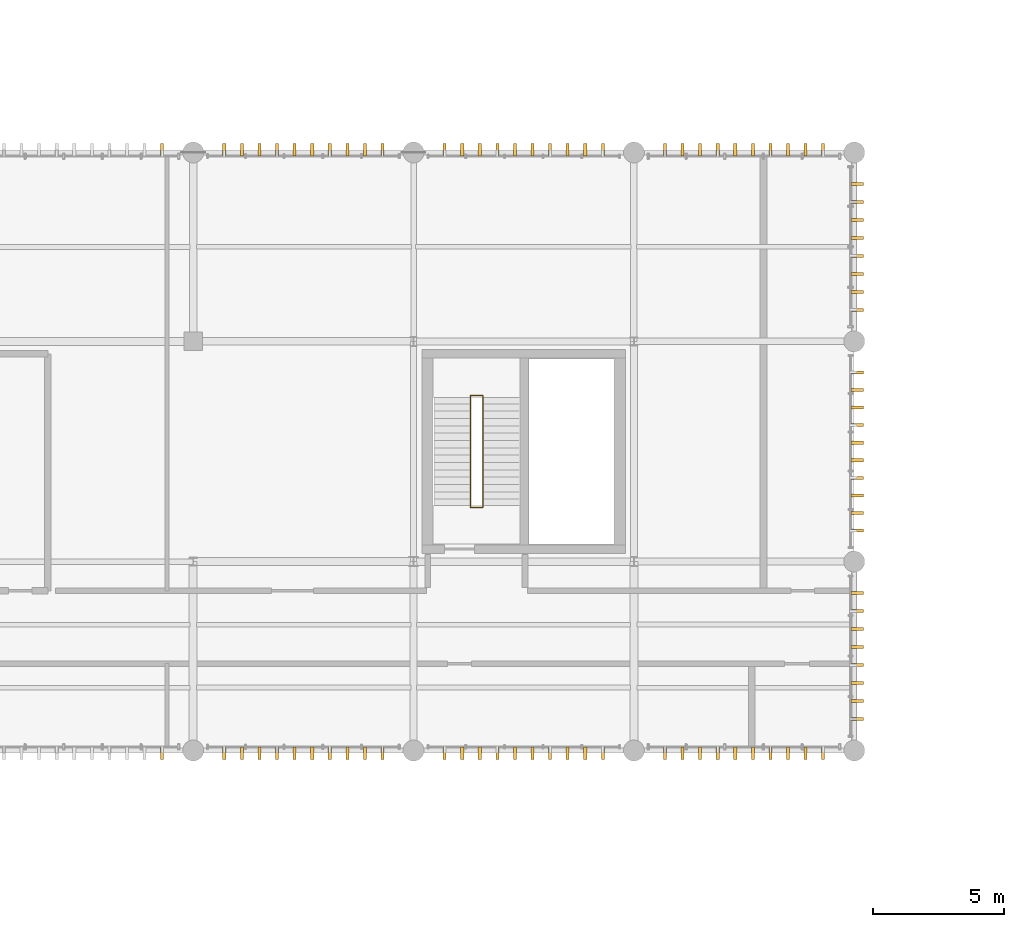
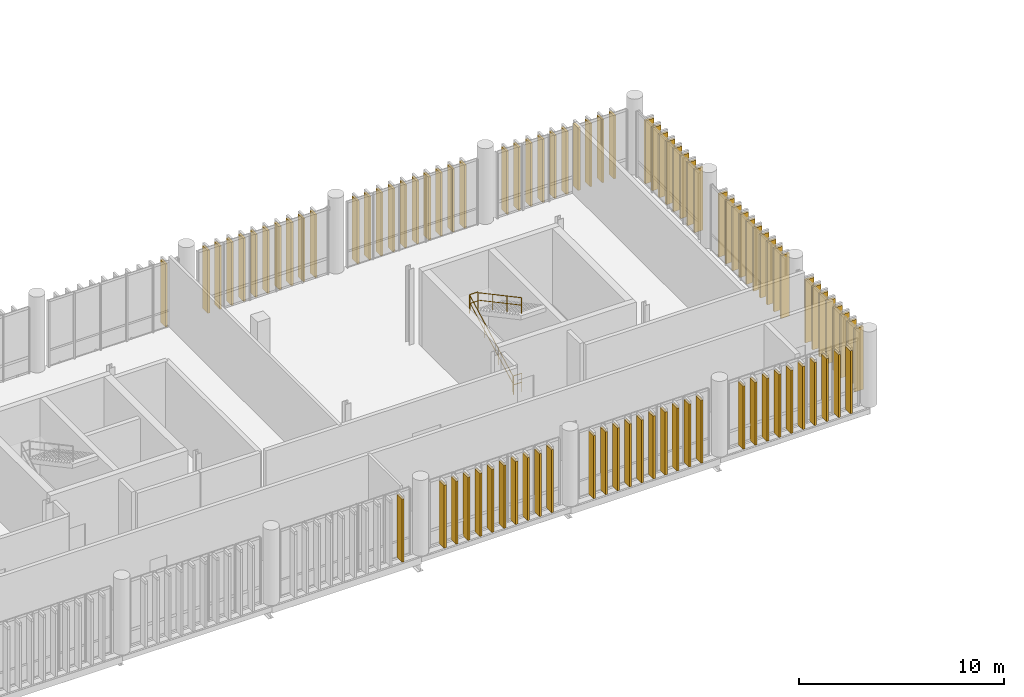
# One storey, part 65 of 68: 88 coverings, 4 railings.
"""IFC4 building model written with IfcOpenShell, lengths in metres."""

from ifc_helpers import new_model, si_unit, direction, frame, frame_2d, origin_with_axes, origin_2d_with_axis, place, context, subcontext, project, spatial, rectangle, circle, extrude, material, type_object, element, save


model = new_model("IFC4")

# Units and contexts
model_context = context("Model", 3, precision=1e-05, world=origin_with_axes(), true_north=direction((0.0, 1.0)))
body_context = subcontext(model_context, "Body", "Model", "MODEL_VIEW")
ifc_project = project(units=[si_unit("LENGTHUNIT", "METRE"), si_unit("AREAUNIT", "SQUARE_METRE"), si_unit("VOLUMEUNIT", "CUBIC_METRE"), si_unit("PLANEANGLEUNIT", "RADIAN"), si_unit("MASSUNIT", "GRAM", prefix="KILO"), si_unit("THERMODYNAMICTEMPERATUREUNIT", "KELVIN")], contexts=[model_context])

# Site, building, storey
site_placement = place(None, origin_with_axes())
site = spatial("IfcSite", under=ifc_project, at=site_placement, CompositionType="ELEMENT")
building_placement = place(site_placement, origin_with_axes())
building = spatial("IfcBuilding", under=site, at=building_placement, Name="Montbau Bow Law Courts", CompositionType="ELEMENT")
storey_placement = place(building_placement, frame((0.0, 0.0, 20.4), z_axis=(0.0, 0.0, 1.0), x_axis=(1.0, 0.0, 0.0)))
storey = spatial("IfcBuildingStorey", under=building, at=storey_placement, Name="L04", CompositionType="ELEMENT", Elevation=20.4)

# Coverings
ifc_material_1 = material(Name="Freeze-Thaw Glazed Warm Cream Ceramic Vertical Louvre", Category="masonry")
covering_type = type_object("IfcCoveringType", Name="CV-LVR-CRM", PredefinedType="CLADDING", material=ifc_material_1)
for number, where, z_axis, x_axis, name in (
    (1, (70.815, 39.13, 20.4), (-1.0, 0.0, 0.0), (0.0, -1.0, 0.0), "CLV-L04-1760:cov_1805"),
    (2, (73.185, 39.13, 20.4), (-1.0, 0.0, 0.0), (0.0, -1.0, 0.0), "CLV-L04-1761:cov_1806"),
    (3, (73.855, 39.13, 20.4), (-1.0, 0.0, 0.0), (0.0, -1.0, 0.0), "CLV-L04-1762:cov_1807"),
    (4, (74.525, 39.13, 20.4), (-1.0, 0.0, 0.0), (0.0, -1.0, 0.0), "CLV-L04-1763:cov_1808"),
    (5, (75.195, 39.13, 20.4), (-1.0, 0.0, 0.0), (0.0, -1.0, 0.0), "CLV-L04-1764:cov_1809"),
    (6, (75.865, 39.13, 20.4), (-1.0, 0.0, 0.0), (0.0, -1.0, 0.0), "CLV-L04-1765:cov_1810"),
    (7, (76.535, 39.13, 20.4), (-1.0, 0.0, 0.0), (0.0, -1.0, 0.0), "CLV-L04-1766:cov_1811"),
    (8, (77.205, 39.13, 20.4), (-1.0, 0.0, 0.0), (0.0, -1.0, 0.0), "CLV-L04-1767:cov_1812"),
    (9, (77.875, 39.13, 20.4), (-1.0, 0.0, 0.0), (0.0, -1.0, 0.0), "CLV-L04-1768:cov_1813"),
    (10, (78.545, 39.13, 20.4), (-1.0, 0.0, 0.0), (0.0, -1.0, 0.0), "CLV-L04-1769:cov_1814"),
    (11, (79.215, 39.13, 20.4), (-1.0, 0.0, 0.0), (0.0, -1.0, 0.0), "CLV-L04-1770:cov_1815"),
    (12, (81.585, 39.13, 20.4), (-1.0, 0.0, 0.0), (0.0, -1.0, 0.0), "CLV-L04-1771:cov_1816"),
    (13, (82.255, 39.13, 20.4), (-1.0, 0.0, 0.0), (0.0, -1.0, 0.0), "CLV-L04-1772:cov_1817"),
    (14, (82.925, 39.13, 20.4), (-1.0, 0.0, 0.0), (0.0, -1.0, 0.0), "CLV-L04-1773:cov_1818"),
    (15, (83.595, 39.13, 20.4), (-1.0, 0.0, 0.0), (0.0, -1.0, 0.0), "CLV-L04-1774:cov_1819"),
    (16, (84.265, 39.13, 20.4), (-1.0, 0.0, 0.0), (0.0, -1.0, 0.0), "CLV-L04-1775:cov_1820"),
    (17, (84.935, 39.13, 20.4), (-1.0, 0.0, 0.0), (0.0, -1.0, 0.0), "CLV-L04-1776:cov_1821"),
    (18, (85.605, 39.13, 20.4), (-1.0, 0.0, 0.0), (0.0, -1.0, 0.0), "CLV-L04-1777:cov_1822"),
    (19, (86.275, 39.13, 20.4), (-1.0, 0.0, 0.0), (0.0, -1.0, 0.0), "CLV-L04-1778:cov_1823"),
    (20, (86.945, 39.13, 20.4), (-1.0, 0.0, 0.0), (0.0, -1.0, 0.0), "CLV-L04-1779:cov_1824"),
    (21, (87.615, 39.13, 20.4), (-1.0, 0.0, 0.0), (0.0, -1.0, 0.0), "CLV-L04-1780:cov_1825"),
    (22, (89.985, 39.13, 20.4), (-1.0, 0.0, 0.0), (0.0, -1.0, 0.0), "CLV-L04-1781:cov_1826"),
    (23, (90.655, 39.13, 20.4), (-1.0, 0.0, 0.0), (0.0, -1.0, 0.0), "CLV-L04-1782:cov_1827"),
    (24, (91.325, 39.13, 20.4), (-1.0, 0.0, 0.0), (0.0, -1.0, 0.0), "CLV-L04-1783:cov_1828"),
    (25, (91.995, 39.13, 20.4), (-1.0, 0.0, 0.0), (0.0, -1.0, 0.0), "CLV-L04-1784:cov_1829"),
    (26, (92.665, 39.13, 20.4), (-1.0, 0.0, 0.0), (0.0, -1.0, 0.0), "CLV-L04-1785:cov_1830"),
    (27, (93.335, 39.13, 20.4), (-1.0, 0.0, 0.0), (0.0, -1.0, 0.0), "CLV-L04-1786:cov_1831"),
    (28, (94.005, 39.13, 20.4), (-1.0, 0.0, 0.0), (0.0, -1.0, 0.0), "CLV-L04-1787:cov_1832"),
    (29, (94.675, 39.13, 20.4), (-1.0, 0.0, 0.0), (0.0, -1.0, 0.0), "CLV-L04-1788:cov_1833"),
    (30, (95.345, 39.13, 20.4), (-1.0, 0.0, 0.0), (0.0, -1.0, 0.0), "CLV-L04-1789:cov_1834"),
    (31, (96.015, 39.13, 20.4), (-1.0, 0.0, 0.0), (0.0, -1.0, 0.0), "CLV-L04-1790:cov_1835"),
    (32, (70.815, 61.67, 20.4), (1.0, 0.0, 0.0), (0.0, 1.0, 0.0), "CLV-L04-1820:cov_1865"),
    (33, (73.185, 61.67, 20.4), (1.0, 0.0, 0.0), (0.0, 1.0, 0.0), "CLV-L04-1821:cov_1866"),
    (34, (73.855, 61.67, 20.4), (1.0, 0.0, 0.0), (0.0, 1.0, 0.0), "CLV-L04-1822:cov_1867"),
    (35, (74.525, 61.67, 20.4), (1.0, 0.0, 0.0), (0.0, 1.0, 0.0), "CLV-L04-1823:cov_1868"),
    (36, (75.195, 61.67, 20.4), (1.0, 0.0, 0.0), (0.0, 1.0, 0.0), "CLV-L04-1824:cov_1869"),
    (37, (75.865, 61.67, 20.4), (1.0, 0.0, 0.0), (0.0, 1.0, 0.0), "CLV-L04-1825:cov_1870"),
    (38, (76.535, 61.67, 20.4), (1.0, 0.0, 0.0), (0.0, 1.0, 0.0), "CLV-L04-1826:cov_1871"),
    (39, (77.205, 61.67, 20.4), (1.0, 0.0, 0.0), (0.0, 1.0, 0.0), "CLV-L04-1827:cov_1872"),
    (40, (77.875, 61.67, 20.4), (1.0, 0.0, 0.0), (0.0, 1.0, 0.0), "CLV-L04-1828:cov_1873"),
    (41, (78.545, 61.67, 20.4), (1.0, 0.0, 0.0), (0.0, 1.0, 0.0), "CLV-L04-1829:cov_1874"),
    (42, (79.215, 61.67, 20.4), (1.0, 0.0, 0.0), (0.0, 1.0, 0.0), "CLV-L04-1830:cov_1875"),
    (43, (81.585, 61.67, 20.4), (1.0, 0.0, 0.0), (0.0, 1.0, 0.0), "CLV-L04-1831:cov_1876"),
    (44, (82.255, 61.67, 20.4), (1.0, 0.0, 0.0), (0.0, 1.0, 0.0), "CLV-L04-1832:cov_1877"),
    (45, (82.925, 61.67, 20.4), (1.0, 0.0, 0.0), (0.0, 1.0, 0.0), "CLV-L04-1833:cov_1878"),
    (46, (83.595, 61.67, 20.4), (1.0, 0.0, 0.0), (0.0, 1.0, 0.0), "CLV-L04-1834:cov_1879"),
    (47, (84.265, 61.67, 20.4), (1.0, 0.0, 0.0), (0.0, 1.0, 0.0), "CLV-L04-1835:cov_1880"),
    (48, (84.935, 61.67, 20.4), (1.0, 0.0, 0.0), (0.0, 1.0, 0.0), "CLV-L04-1836:cov_1881"),
    (49, (85.605, 61.67, 20.4), (1.0, 0.0, 0.0), (0.0, 1.0, 0.0), "CLV-L04-1837:cov_1882"),
    (50, (86.275, 61.67, 20.4), (1.0, 0.0, 0.0), (0.0, 1.0, 0.0), "CLV-L04-1838:cov_1883"),
    (51, (86.945, 61.67, 20.4), (1.0, 0.0, 0.0), (0.0, 1.0, 0.0), "CLV-L04-1839:cov_1884"),
    (52, (87.615, 61.67, 20.4), (1.0, 0.0, 0.0), (0.0, 1.0, 0.0), "CLV-L04-1840:cov_1885"),
    (53, (89.985, 61.67, 20.4), (1.0, 0.0, 0.0), (0.0, 1.0, 0.0), "CLV-L04-1841:cov_1886"),
    (54, (90.655, 61.67, 20.4), (1.0, 0.0, 0.0), (0.0, 1.0, 0.0), "CLV-L04-1842:cov_1887"),
    (55, (91.325, 61.67, 20.4), (1.0, 0.0, 0.0), (0.0, 1.0, 0.0), "CLV-L04-1843:cov_1888"),
    (56, (91.995, 61.67, 20.4), (1.0, 0.0, 0.0), (0.0, 1.0, 0.0), "CLV-L04-1844:cov_1889"),
    (57, (92.665, 61.67, 20.4), (1.0, 0.0, 0.0), (0.0, 1.0, 0.0), "CLV-L04-1845:cov_1890"),
    (58, (93.335, 61.67, 20.4), (1.0, 0.0, 0.0), (0.0, 1.0, 0.0), "CLV-L04-1846:cov_1891"),
    (59, (94.005, 61.67, 20.4), (1.0, 0.0, 0.0), (0.0, 1.0, 0.0), "CLV-L04-1847:cov_1892"),
    (60, (94.675, 61.67, 20.4), (1.0, 0.0, 0.0), (0.0, 1.0, 0.0), "CLV-L04-1848:cov_1893"),
    (61, (95.345, 61.67, 20.4), (1.0, 0.0, 0.0), (0.0, 1.0, 0.0), "CLV-L04-1849:cov_1894"),
    (62, (96.015, 61.67, 20.4), (1.0, 0.0, 0.0), (0.0, 1.0, 0.0), "CLV-L04-1850:cov_1895"),
    (63, (97.07, 40.201, 20.4), (0.0, -1.0, 0.0), (1.0, 0.0, 0.0), "CLV-L04-1877:cov_1922"),
    (64, (97.07, 40.886, 20.4), (0.0, -1.0, 0.0), (1.0, 0.0, 0.0), "CLV-L04-1878:cov_1923"),
    (65, (97.07, 41.572, 20.4), (0.0, -1.0, 0.0), (1.0, 0.0, 0.0), "CLV-L04-1879:cov_1924"),
    (66, (97.07, 42.257, 20.4), (0.0, -1.0, 0.0), (1.0, 0.0, 0.0), "CLV-L04-1880:cov_1925"),
    (67, (97.07, 42.943, 20.4), (0.0, -1.0, 0.0), (1.0, 0.0, 0.0), "CLV-L04-1881:cov_1926"),
    (68, (97.07, 43.628, 20.4), (0.0, -1.0, 0.0), (1.0, 0.0, 0.0), "CLV-L04-1882:cov_1927"),
    (69, (97.07, 44.314, 20.4), (0.0, -1.0, 0.0), (1.0, 0.0, 0.0), "CLV-L04-1883:cov_1928"),
    (70, (97.07, 44.999, 20.4), (0.0, -1.0, 0.0), (1.0, 0.0, 0.0), "CLV-L04-1884:cov_1929"),
    (71, (97.07, 47.385, 20.4), (0.0, -1.0, 0.0), (1.0, 0.0, 0.0), "CLV-L04-1885:cov_1930"),
    (72, (97.07, 48.055, 20.4), (0.0, -1.0, 0.0), (1.0, 0.0, 0.0), "CLV-L04-1886:cov_1931"),
    (73, (97.07, 48.725, 20.4), (0.0, -1.0, 0.0), (1.0, 0.0, 0.0), "CLV-L04-1887:cov_1932"),
    (74, (97.07, 49.395, 20.4), (0.0, -1.0, 0.0), (1.0, 0.0, 0.0), "CLV-L04-1888:cov_1933"),
    (75, (97.07, 50.065, 20.4), (0.0, -1.0, 0.0), (1.0, 0.0, 0.0), "CLV-L04-1889:cov_1934"),
    (76, (97.07, 50.735, 20.4), (0.0, -1.0, 0.0), (1.0, 0.0, 0.0), "CLV-L04-1890:cov_1935"),
    (77, (97.07, 51.405, 20.4), (0.0, -1.0, 0.0), (1.0, 0.0, 0.0), "CLV-L04-1891:cov_1936"),
    (78, (97.07, 52.075, 20.4), (0.0, -1.0, 0.0), (1.0, 0.0, 0.0), "CLV-L04-1892:cov_1937"),
    (79, (97.07, 52.745, 20.4), (0.0, -1.0, 0.0), (1.0, 0.0, 0.0), "CLV-L04-1893:cov_1938"),
    (80, (97.07, 53.415, 20.4), (0.0, -1.0, 0.0), (1.0, 0.0, 0.0), "CLV-L04-1894:cov_1939"),
    (81, (97.07, 55.801, 20.4), (0.0, -1.0, 0.0), (1.0, 0.0, 0.0), "CLV-L04-1895:cov_1940"),
    (82, (97.07, 56.486, 20.4), (0.0, -1.0, 0.0), (1.0, 0.0, 0.0), "CLV-L04-1896:cov_1941"),
    (83, (97.07, 57.172, 20.4), (0.0, -1.0, 0.0), (1.0, 0.0, 0.0), "CLV-L04-1897:cov_1942"),
    (84, (97.07, 57.857, 20.4), (0.0, -1.0, 0.0), (1.0, 0.0, 0.0), "CLV-L04-1898:cov_1943"),
    (85, (97.07, 58.543, 20.4), (0.0, -1.0, 0.0), (1.0, 0.0, 0.0), "CLV-L04-1899:cov_1944"),
    (86, (97.07, 59.228, 20.4), (0.0, -1.0, 0.0), (1.0, 0.0, 0.0), "CLV-L04-1900:cov_1945"),
    (87, (97.07, 59.914, 20.4), (0.0, -1.0, 0.0), (1.0, 0.0, 0.0), "CLV-L04-1901:cov_1946"),
    (88, (97.07, 60.599, 20.4), (0.0, -1.0, 0.0), (1.0, 0.0, 0.0), "CLV-L04-1902:cov_1947"),
):
    element("IfcCovering", number, at=place(None, frame(where, z_axis=z_axis, x_axis=x_axis)), inside=storey, type_object=covering_type, Name=name, PredefinedType="CLADDING", context=body_context, shape_type="SweptSolid", body=[
        extrude(rectangle(XDim=0.48, YDim=3.74, at=frame_2d((0.24, 1.87), x_axis=(1.0, 0.0))), frame((0.0, 0.0, -0.06), z_axis=(0.0, 0.0, 1.0), x_axis=(1.0, 0.0, 0.0)), (0.0, 0.0, 1.0), 0.12),
    ])

# Railings
ifc_material_2 = material(Name="Architectural Bronze-Finished Steel Stair Guard", Category="steel")
railing_type_1 = type_object("IfcRailingType", Name="RL-GRD-1100", PredefinedType="GUARDRAIL", material=ifc_material_2)
railing_1_placement = place(None, origin_with_axes())
element("IfcRailing", 89, at=railing_1_placement, inside=storey, type_object=railing_type_1, Name="SG-ST-P3-L04-ML:rlg_0148", PredefinedType="GUARDRAIL", context=body_context, shape_type="SweptSolid", body=[
    extrude(circle(Radius=0.0225, at=origin_2d_with_axis()), frame((82.57, 52.53, 23.752), z_axis=(1.0, 0.0, 0.0), x_axis=(0.0, 0.0, 1.0)), (0.0, 0.0, 1.0), 0.47),
    extrude(circle(Radius=0.02025, at=origin_2d_with_axis()), frame((82.57, 52.53, 23.222), z_axis=(1.0, 0.0, 0.0), x_axis=(0.0, 0.0, 1.0)), (0.0, 0.0, 1.0), 0.47),
    extrude(circle(Radius=0.02025, at=origin_2d_with_axis()), frame((82.57, 52.53, 22.65), z_axis=(0.0, 0.0, 1.0), x_axis=(1.0, 0.0, 0.0)), (0.0, 0.0, 1.0), 1.07525),
    extrude(circle(Radius=0.02025, at=origin_2d_with_axis()), frame((83.04, 52.53, 22.65), z_axis=(0.0, 0.0, 1.0), x_axis=(1.0, 0.0, 0.0)), (0.0, 0.0, 1.0), 1.07525),
])
railing_2_placement = place(None, origin_with_axes())
element("IfcRailing", 90, at=railing_2_placement, inside=storey, type_object=railing_type_1, Name="SG-ST-P3-L04-BL:rlg_0149", PredefinedType="GUARDRAIL", context=body_context, shape_type="SweptSolid", body=[
    extrude(circle(Radius=0.0225, at=origin_2d_with_axis()), frame((82.57, 48.27, 21.502), z_axis=(1.0, 0.0, 0.0), x_axis=(0.0, 0.0, 1.0)), (0.0, 0.0, 1.0), 0.47),
    extrude(circle(Radius=0.02025, at=origin_2d_with_axis()), frame((82.57, 48.27, 20.972), z_axis=(1.0, 0.0, 0.0), x_axis=(0.0, 0.0, 1.0)), (0.0, 0.0, 1.0), 0.47),
    extrude(circle(Radius=0.02025, at=origin_2d_with_axis()), frame((82.57, 48.27, 20.4), z_axis=(0.0, 0.0, 1.0), x_axis=(1.0, 0.0, 0.0)), (0.0, 0.0, 1.0), 1.07525),
    extrude(circle(Radius=0.02025, at=origin_2d_with_axis()), frame((83.04, 48.27, 20.4), z_axis=(0.0, 0.0, 1.0), x_axis=(1.0, 0.0, 0.0)), (0.0, 0.0, 1.0), 1.07525),
])
ifc_material_3 = material(Name="White-Oak and Stainless Continuous Stair Handrail", Category="steel")
railing_type_2 = type_object("IfcRailingType", Name="RL-HND-0920", PredefinedType="HANDRAIL", material=ifc_material_3)
railing_3_placement = place(None, origin_with_axes())
element("IfcRailing", 91, at=railing_3_placement, inside=storey, type_object=railing_type_2, Name="HR-ST-P3-L04-1:rlg_0150", PredefinedType="HANDRAIL", context=body_context, shape_type="SweptSolid", body=[
    extrude(circle(Radius=0.021, at=origin_2d_with_axis()), frame((82.57, 48.3, 21.472), z_axis=(0.0, 0.88147997, 0.472221413), x_axis=(0.0, -0.472221413, 0.88147997)), (0.0, 0.0, 1.0), 4.764714),
    extrude(circle(Radius=0.0189, at=origin_2d_with_axis()), frame((82.57, 48.3, 21.0284), z_axis=(0.0, 0.88147997, 0.472221413), x_axis=(0.0, -0.472221413, 0.88147997)), (0.0, 0.0, 1.0), 4.764714),
    extrude(circle(Radius=0.0189, at=origin_2d_with_axis()), frame((82.57, 48.3, 20.55), z_axis=(0.0, 0.0, 1.0), x_axis=(1.0, 0.0, 0.0)), (0.0, 0.0, 1.0), 0.8969),
    extrude(circle(Radius=0.0189, at=origin_2d_with_axis()), frame((82.57, 49.7, 21.3), z_axis=(0.0, 0.0, 1.0), x_axis=(1.0, 0.0, 0.0)), (0.0, 0.0, 1.0), 0.8969),
    extrude(circle(Radius=0.0189, at=origin_2d_with_axis()), frame((82.57, 51.1, 22.05), z_axis=(0.0, 0.0, 1.0), x_axis=(1.0, 0.0, 0.0)), (0.0, 0.0, 1.0), 0.8969),
    extrude(circle(Radius=0.0189, at=origin_2d_with_axis()), frame((82.57, 52.5, 22.8), z_axis=(0.0, 0.0, 1.0), x_axis=(1.0, 0.0, 0.0)), (0.0, 0.0, 1.0), 0.8969),
])
railing_4_placement = place(None, origin_with_axes())
element("IfcRailing", 92, at=railing_4_placement, inside=storey, type_object=railing_type_2, Name="HR-ST-P3-L04-2:rlg_0151", PredefinedType="HANDRAIL", context=body_context, shape_type="SweptSolid", body=[
    extrude(circle(Radius=0.021, at=origin_2d_with_axis()), frame((83.04, 52.5, 23.722), z_axis=(0.0, -0.88147997, 0.472221413), x_axis=(0.0, 0.472221413, 0.88147997)), (0.0, 0.0, 1.0), 4.764714),
    extrude(circle(Radius=0.0189, at=origin_2d_with_axis()), frame((83.04, 52.5, 23.2784), z_axis=(0.0, -0.88147997, 0.472221413), x_axis=(0.0, 0.472221413, 0.88147997)), (0.0, 0.0, 1.0), 4.764714),
    extrude(circle(Radius=0.0189, at=origin_2d_with_axis()), frame((83.04, 52.5, 22.8), z_axis=(0.0, 0.0, 1.0), x_axis=(1.0, 0.0, 0.0)), (0.0, 0.0, 1.0), 0.8969),
    extrude(circle(Radius=0.0189, at=origin_2d_with_axis()), frame((83.04, 51.1, 23.55), z_axis=(0.0, 0.0, 1.0), x_axis=(1.0, 0.0, 0.0)), (0.0, 0.0, 1.0), 0.8969),
    extrude(circle(Radius=0.0189, at=origin_2d_with_axis()), frame((83.04, 49.7, 24.3), z_axis=(0.0, 0.0, 1.0), x_axis=(1.0, 0.0, 0.0)), (0.0, 0.0, 1.0), 0.8969),
    extrude(circle(Radius=0.0189, at=origin_2d_with_axis()), frame((83.04, 48.3, 25.05), z_axis=(0.0, 0.0, 1.0), x_axis=(1.0, 0.0, 0.0)), (0.0, 0.0, 1.0), 0.8969),
])

save(model, "model.ifc")
